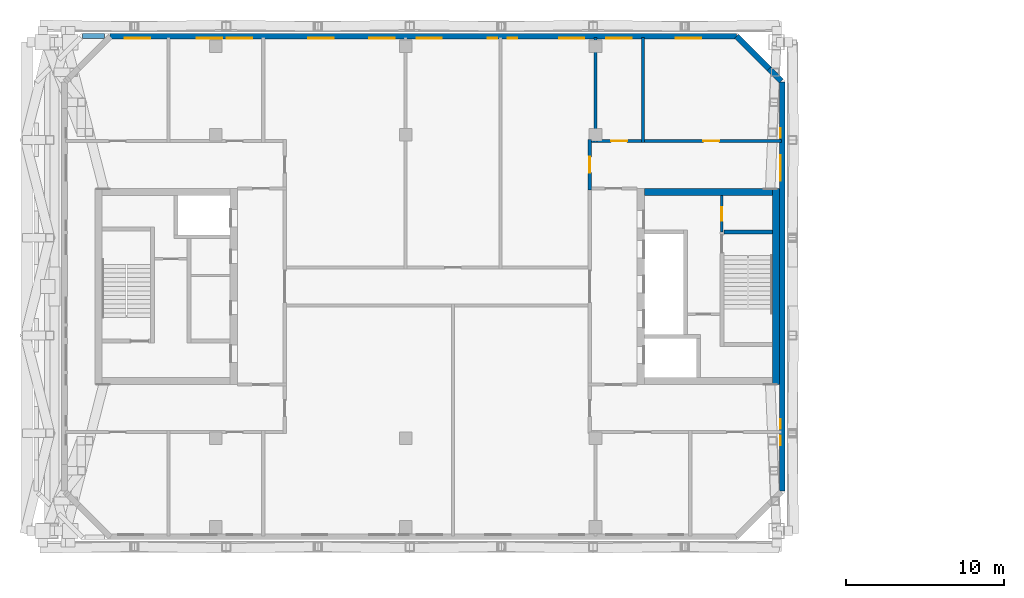
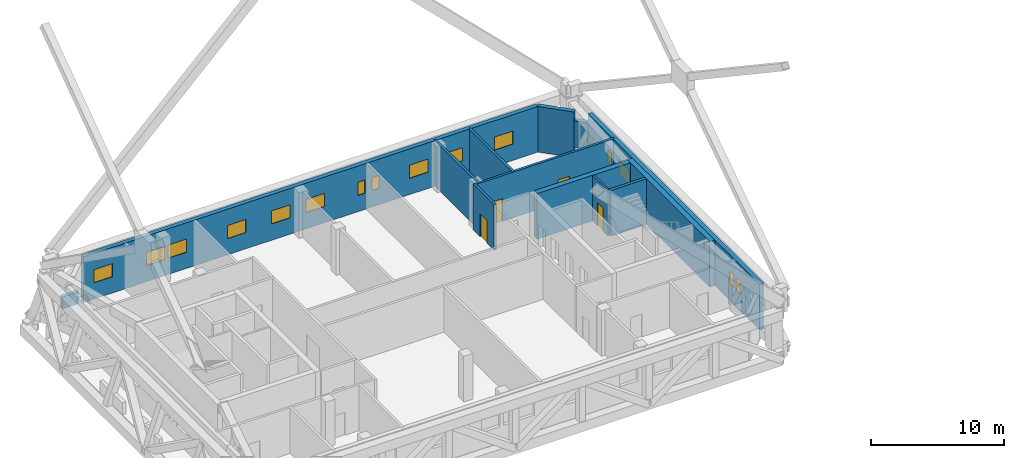
# One storey, part 10 of 20: 15 windows, 13 walls, 4 doors, 19 openings.
"""IFC4 building model written with IfcOpenShell, lengths in metres."""

from ifc_helpers import new_model, si_unit, direction, frame, frame_2d, origin, place, context, subcontext, project, spatial, rectangle, extrude, material, layer, layer_set, type_object, element, fill, save


model = new_model("IFC4")

# Units and contexts
model_context = context("Model", 3, precision=1e-05, world=origin(), true_north=direction((0.0, 1.0)))
body_context = subcontext(model_context, "Body", "Model", "MODEL_VIEW")
ifc_project = project(units=[si_unit("LENGTHUNIT", "METRE"), si_unit("AREAUNIT", "SQUARE_METRE"), si_unit("VOLUMEUNIT", "CUBIC_METRE"), si_unit("PLANEANGLEUNIT", "RADIAN"), si_unit("MASSUNIT", "GRAM", prefix="KILO")], contexts=[model_context])

# Site, building, storey
site_placement = place(None, origin())
site = spatial("IfcSite", under=ifc_project, at=site_placement, CompositionType="ELEMENT")
building_placement = place(site_placement, origin())
building = spatial("IfcBuilding", under=site, at=building_placement, Name="Tuart Gate Housing", CompositionType="ELEMENT")
storey_placement = place(building_placement, frame((0.0, 0.0, 167.10009765625)))
storey = spatial("IfcBuildingStorey", under=building, at=storey_placement, Name="L47", CompositionType="ELEMENT", Elevation=167.10009765625)

# Wall
ifc_material_1 = material(Name="Brick", Category="masonry")
ifc_layer_1 = layer(ifc_material_1, 0.300048828125)
ifc_layer_set_1 = layer_set([ifc_layer_1], Name="Brick parapet wall 300")
wall_type_1 = type_object("IfcWallType", Name="Brick parapet wall 300", PredefinedType="PARAPET", material=ifc_layer_set_1)
wall_1_placement = place(storey_placement, frame((32.949951171875, 85.85009765625, 0.0), z_axis=(0.0, 0.0, 1.0), x_axis=(-1.0, 0.0, 0.0)))
element("IfcWall", 1, at=wall_1_placement, inside=storey, type_object=wall_type_1, Name="Roof parapet A 1", PredefinedType="PARAPET", context=body_context, shape_type="SweptSolid", body=[
    extrude(rectangle(XDim=1.387939453125, YDim=0.300048828125, at=frame_2d((0.69384765625, 0.0))), origin(), (0.0, 0.0, 1.0), 1.099853515625),
])

# Wall, openings, windows
ifc_material_2 = material(Name="Brick", Category="masonry")
ifc_layer_2 = layer(ifc_material_2, 0.360107421875)
ifc_layer_set_2 = layer_set([ifc_layer_2], Name="Brick pier and spandrel wall 360")
wall_type_2 = type_object("IfcWallType", Name="Brick pier and spandrel wall 360", PredefinedType="STANDARD", material=ifc_layer_set_2)
wall_2_placement = place(storey_placement, frame((75.820068359375, 57.07470703125, 0.0), z_axis=(0.0, 0.0, 1.0), x_axis=(0.0, 1.0, 0.0)))
wall_2 = element("IfcWall", 2, at=wall_2_placement, inside=storey, type_object=wall_type_2, Name="External wall A-E L47", PredefinedType="STANDARD", context=body_context, shape_type="SweptSolid", body=[
    extrude(rectangle(XDim=25.850830078125, YDim=0.360107421875, at=frame_2d((12.92529296875, 0.0))), origin(), (0.0, 0.0, 1.0), 4.199951171875),
])
opening_1_placement = place(wall_2_placement, frame((2.89990234375, 0.0, 1.5)))
opening_1 = element("IfcOpeningElement", 3, at=opening_1_placement, cuts=wall_2, Name="Opening W3C", PredefinedType="OPENING", context=body_context, shape_type="SweptSolid", body=[
    extrude(rectangle(XDim=0.60009765625, YDim=1.199951171875, at=frame_2d((0.300048828125, 0.60009765625))), frame((0.0, 0.18994140625, 0.0), z_axis=(0.0, -1.0, 0.0), x_axis=(1.0, 0.0, 0.0)), (0.0, 0.0, 1.0), 0.380126953125),
])
opening_2_placement = place(wall_2_placement, frame((3.92529296875, 0.0, 1.5)))
opening_2 = element("IfcOpeningElement", 4, at=opening_2_placement, cuts=wall_2, Name="Opening W3C", PredefinedType="OPENING", context=body_context, shape_type="SweptSolid", body=[
    extrude(rectangle(XDim=0.60009765625, YDim=1.199951171875, at=frame_2d((0.300048828125, 0.60009765625))), frame((0.0, 0.18994140625, 0.0), z_axis=(0.0, -1.0, 0.0), x_axis=(1.0, 0.0, 0.0)), (0.0, 0.0, 1.0), 0.380126953125),
])
opening_3_placement = place(wall_2_placement, frame((19.62548828125, 0.0, 1.5)))
opening_3 = element("IfcOpeningElement", 5, at=opening_3_placement, cuts=wall_2, Name="Opening W3", PredefinedType="OPENING", context=body_context, shape_type="SweptSolid", body=[
    extrude(rectangle(XDim=1.60009765625, YDim=1.199951171875, at=frame_2d((0.800048828125, 0.60009765625))), frame((0.0, 0.18994140625, 0.0), z_axis=(0.0, -1.0, 0.0), x_axis=(1.0, 0.0, 0.0)), (0.0, 0.0, 1.0), 0.380126953125),
])
opening_4_placement = place(wall_2_placement, frame((22.325439453125, 0.0, 1.5)))
opening_4 = element("IfcOpeningElement", 6, at=opening_4_placement, cuts=wall_2, Name="Opening W3C", PredefinedType="OPENING", context=body_context, shape_type="SweptSolid", body=[
    extrude(rectangle(XDim=0.60009765625, YDim=1.199951171875, at=frame_2d((0.300048828125, 0.60009765625))), frame((0.0, 0.18994140625, 0.0), z_axis=(0.0, -1.0, 0.0), x_axis=(1.0, 0.0, 0.0)), (0.0, 0.0, 1.0), 0.380126953125),
])
ifc_material_3 = material(Name="Aluminium louvre blades", Category="aluminium")
window_type_1 = type_object("IfcWindowType", Name="Louvre window 1600 x 1200", PartitioningType="DOUBLE_PANEL_HORIZONTAL", PredefinedType="WINDOW", material=ifc_material_3)
window_1_placement = place(opening_3_placement, origin())
window_1 = element("IfcWindow", 7, at=window_1_placement, inside=storey, type_object=window_type_1, Name="Louvre W3", OverallHeight=1.199951171875, OverallWidth=1.60009765625, PartitioningType="DOUBLE_PANEL_HORIZONTAL", PredefinedType="WINDOW", context=body_context, shape_type="SweptSolid", body=[
    extrude(rectangle(XDim=1.60009765625, YDim=1.199951171875, at=frame_2d((0.800048828125, 0.60009765625))), frame((0.0, 0.150146484375, 0.0), z_axis=(0.0, -1.0, 0.0), x_axis=(1.0, 0.0, 0.0)), (0.0, 0.0, 1.0), 0.06005859375),
])
fill(opening_3, window_1)
ifc_material_4 = material(Name="Aluminium louvre blades", Category="aluminium")
window_type_2 = type_object("IfcWindowType", Name="Louvre window 600 x 1200", PartitioningType="DOUBLE_PANEL_HORIZONTAL", PredefinedType="WINDOW", material=ifc_material_4)
window_2_placement = place(opening_1_placement, origin())
window_2 = element("IfcWindow", 8, at=window_2_placement, inside=storey, type_object=window_type_2, Name="Louvre W3C", OverallHeight=1.199951171875, OverallWidth=0.60009765625, PartitioningType="DOUBLE_PANEL_HORIZONTAL", PredefinedType="WINDOW", context=body_context, shape_type="SweptSolid", body=[
    extrude(rectangle(XDim=0.60009765625, YDim=1.199951171875, at=frame_2d((0.300048828125, 0.60009765625))), frame((0.0, 0.150146484375, 0.0), z_axis=(0.0, -1.0, 0.0), x_axis=(1.0, 0.0, 0.0)), (0.0, 0.0, 1.0), 0.06005859375),
])
fill(opening_1, window_2)
window_3_placement = place(opening_2_placement, origin())
window_3 = element("IfcWindow", 9, at=window_3_placement, inside=storey, type_object=window_type_2, Name="Louvre W3C", OverallHeight=1.199951171875, OverallWidth=0.60009765625, PartitioningType="DOUBLE_PANEL_HORIZONTAL", PredefinedType="WINDOW", context=body_context, shape_type="SweptSolid", body=[
    extrude(rectangle(XDim=0.60009765625, YDim=1.199951171875, at=frame_2d((0.300048828125, 0.60009765625))), frame((0.0, 0.150146484375, 0.0), z_axis=(0.0, -1.0, 0.0), x_axis=(1.0, 0.0, 0.0)), (0.0, 0.0, 1.0), 0.06005859375),
])
fill(opening_2, window_3)
window_4_placement = place(opening_4_placement, origin())
window_4 = element("IfcWindow", 10, at=window_4_placement, inside=storey, type_object=window_type_2, Name="Louvre W3C", OverallHeight=1.199951171875, OverallWidth=0.60009765625, PartitioningType="DOUBLE_PANEL_HORIZONTAL", PredefinedType="WINDOW", context=body_context, shape_type="SweptSolid", body=[
    extrude(rectangle(XDim=0.60009765625, YDim=1.199951171875, at=frame_2d((0.300048828125, 0.60009765625))), frame((0.0, 0.150146484375, 0.0), z_axis=(0.0, -1.0, 0.0), x_axis=(1.0, 0.0, 0.0)), (0.0, 0.0, 1.0), 0.06005859375),
])
fill(opening_4, window_4)

# Walls
wall_3_placement = place(storey_placement, frame((75.74609375, 82.999267578125, 0.952880859375), z_axis=(0.0, 0.0, 1.0), x_axis=(-0.706994764273, 0.707218780358, 0.0)))
element("IfcWall", 11, at=wall_3_placement, inside=storey, type_object=wall_type_2, Name="External wall A-NE L47", PredefinedType="STANDARD", context=body_context, shape_type="SweptSolid", body=[
    extrude(rectangle(XDim=1.08984375, YDim=0.360107421875, at=frame_2d((0.544921875, 0.0))), origin(), (0.0, 0.0, 1.0), 2.444091796875),
])
wall_4_placement = place(storey_placement, frame((74.9755859375, 83.77001953125, 0.0), z_axis=(0.0, 0.0, 1.0), x_axis=(-0.707148882153, 0.707064677713, 0.0)))
element("IfcWall", 12, at=wall_4_placement, inside=storey, type_object=wall_type_2, Name="External wall A-NE L47", PredefinedType="STANDARD", context=body_context, shape_type="SweptSolid", body=[
    extrude(rectangle(XDim=2.8994140625, YDim=0.360107421875, at=frame_2d((1.44970703125, 0.0))), origin(), (0.0, 0.0, 1.0), 4.199951171875),
])

# Wall, openings, windows
wall_5_placement = place(storey_placement, frame((72.92529296875, 85.820068359375, 0.0), z_axis=(0.0, 0.0, 1.0), x_axis=(-1.0, 0.0, 0.0)))
wall_5 = element("IfcWall", 13, at=wall_5_placement, inside=storey, type_object=wall_type_2, Name="External wall A-N L47", PredefinedType="STANDARD", context=body_context, shape_type="SweptSolid", body=[
    extrude(rectangle(XDim=39.600830078125, YDim=0.360107421875, at=frame_2d((19.80029296875, 0.0))), origin(), (0.0, 0.0, 1.0), 4.199951171875),
])
opening_5_placement = place(wall_5_placement, frame((2.25, 0.0, 1.5)))
opening_5 = element("IfcOpeningElement", 14, at=opening_5_placement, cuts=wall_5, Name="Opening W3", PredefinedType="OPENING", context=body_context, shape_type="SweptSolid", body=[
    extrude(rectangle(XDim=1.60009765625, YDim=1.199951171875, at=frame_2d((0.800048828125, 0.60009765625))), frame((0.0, 0.18994140625, 0.0), z_axis=(0.0, -1.0, 0.0), x_axis=(1.0, 0.0, 0.0)), (0.0, 0.0, 1.0), 0.380126953125),
])
opening_6_placement = place(wall_5_placement, frame((6.62548828125, 0.0, 1.5)))
opening_6 = element("IfcOpeningElement", 15, at=opening_6_placement, cuts=wall_5, Name="Opening W3", PredefinedType="OPENING", context=body_context, shape_type="SweptSolid", body=[
    extrude(rectangle(XDim=1.60009765625, YDim=1.199951171875, at=frame_2d((0.800048828125, 0.60009765625))), frame((0.0, 0.18994140625, 0.0), z_axis=(0.0, -1.0, 0.0), x_axis=(1.0, 0.0, 0.0)), (0.0, 0.0, 1.0), 0.380126953125),
])
opening_7_placement = place(wall_5_placement, frame((9.62548828125, 0.0, 1.5)))
opening_7 = element("IfcOpeningElement", 16, at=opening_7_placement, cuts=wall_5, Name="Opening W3", PredefinedType="OPENING", context=body_context, shape_type="SweptSolid", body=[
    extrude(rectangle(XDim=1.60009765625, YDim=1.199951171875, at=frame_2d((0.800048828125, 0.60009765625))), frame((0.0, 0.18994140625, 0.0), z_axis=(0.0, -1.0, 0.0), x_axis=(1.0, 0.0, 0.0)), (0.0, 0.0, 1.0), 0.380126953125),
])
opening_8_placement = place(wall_5_placement, frame((13.87548828125, 0.0, 1.5)))
opening_8 = element("IfcOpeningElement", 17, at=opening_8_placement, cuts=wall_5, Name="Opening W3C", PredefinedType="OPENING", context=body_context, shape_type="SweptSolid", body=[
    extrude(rectangle(XDim=0.60009765625, YDim=1.199951171875, at=frame_2d((0.300048828125, 0.60009765625))), frame((0.0, 0.18994140625, 0.0), z_axis=(0.0, -1.0, 0.0), x_axis=(1.0, 0.0, 0.0)), (0.0, 0.0, 1.0), 0.380126953125),
])
opening_9_placement = place(wall_5_placement, frame((15.12548828125, 0.0, 1.5)))
opening_9 = element("IfcOpeningElement", 18, at=opening_9_placement, cuts=wall_5, Name="Opening W3C", PredefinedType="OPENING", context=body_context, shape_type="SweptSolid", body=[
    extrude(rectangle(XDim=0.60009765625, YDim=1.199951171875, at=frame_2d((0.300048828125, 0.60009765625))), frame((0.0, 0.18994140625, 0.0), z_axis=(0.0, -1.0, 0.0), x_axis=(1.0, 0.0, 0.0)), (0.0, 0.0, 1.0), 0.380126953125),
])
opening_10_placement = place(wall_5_placement, frame((18.62548828125, 0.0, 1.5)))
opening_10 = element("IfcOpeningElement", 19, at=opening_10_placement, cuts=wall_5, Name="Opening W3", PredefinedType="OPENING", context=body_context, shape_type="SweptSolid", body=[
    extrude(rectangle(XDim=1.60009765625, YDim=1.199951171875, at=frame_2d((0.800048828125, 0.60009765625))), frame((0.0, 0.18994140625, 0.0), z_axis=(0.0, -1.0, 0.0), x_axis=(1.0, 0.0, 0.0)), (0.0, 0.0, 1.0), 0.380126953125),
])
opening_11_placement = place(wall_5_placement, frame((21.62548828125, 0.0, 1.5)))
opening_11 = element("IfcOpeningElement", 20, at=opening_11_placement, cuts=wall_5, Name="Opening W3", PredefinedType="OPENING", context=body_context, shape_type="SweptSolid", body=[
    extrude(rectangle(XDim=1.60009765625, YDim=1.199951171875, at=frame_2d((0.800048828125, 0.60009765625))), frame((0.0, 0.18994140625, 0.0), z_axis=(0.0, -1.0, 0.0), x_axis=(1.0, 0.0, 0.0)), (0.0, 0.0, 1.0), 0.380126953125),
])
opening_12_placement = place(wall_5_placement, frame((25.475341796875, 0.0, 1.5)))
opening_12 = element("IfcOpeningElement", 21, at=opening_12_placement, cuts=wall_5, Name="Opening W3", PredefinedType="OPENING", context=body_context, shape_type="SweptSolid", body=[
    extrude(rectangle(XDim=1.60009765625, YDim=1.199951171875, at=frame_2d((0.800048828125, 0.60009765625))), frame((0.0, 0.18994140625, 0.0), z_axis=(0.0, -1.0, 0.0), x_axis=(1.0, 0.0, 0.0)), (0.0, 0.0, 1.0), 0.380126953125),
])
opening_13_placement = place(wall_5_placement, frame((30.62548828125, 0.0, 1.5)))
opening_13 = element("IfcOpeningElement", 22, at=opening_13_placement, cuts=wall_5, Name="Opening W3", PredefinedType="OPENING", context=body_context, shape_type="SweptSolid", body=[
    extrude(rectangle(XDim=1.60009765625, YDim=1.199951171875, at=frame_2d((0.800048828125, 0.60009765625))), frame((0.0, 0.18994140625, 0.0), z_axis=(0.0, -1.0, 0.0), x_axis=(1.0, 0.0, 0.0)), (0.0, 0.0, 1.0), 0.380126953125),
])
opening_14_placement = place(wall_5_placement, frame((32.525390625, 0.0, 1.5)))
opening_14 = element("IfcOpeningElement", 23, at=opening_14_placement, cuts=wall_5, Name="Opening W3", PredefinedType="OPENING", context=body_context, shape_type="SweptSolid", body=[
    extrude(rectangle(XDim=1.60009765625, YDim=1.199951171875, at=frame_2d((0.800048828125, 0.60009765625))), frame((0.0, 0.18994140625, 0.0), z_axis=(0.0, -1.0, 0.0), x_axis=(1.0, 0.0, 0.0)), (0.0, 0.0, 1.0), 0.380126953125),
])
opening_15_placement = place(wall_5_placement, frame((37.075439453125, 0.0, 1.5)))
opening_15 = element("IfcOpeningElement", 24, at=opening_15_placement, cuts=wall_5, Name="Opening W3", PredefinedType="OPENING", context=body_context, shape_type="SweptSolid", body=[
    extrude(rectangle(XDim=1.60009765625, YDim=1.199951171875, at=frame_2d((0.800048828125, 0.60009765625))), frame((0.0, 0.18994140625, 0.0), z_axis=(0.0, -1.0, 0.0), x_axis=(1.0, 0.0, 0.0)), (0.0, 0.0, 1.0), 0.380126953125),
])
window_5_placement = place(opening_5_placement, origin())
window_5 = element("IfcWindow", 25, at=window_5_placement, inside=storey, type_object=window_type_1, Name="Louvre W3", OverallHeight=1.199951171875, OverallWidth=1.60009765625, PartitioningType="DOUBLE_PANEL_HORIZONTAL", PredefinedType="WINDOW", context=body_context, shape_type="SweptSolid", body=[
    extrude(rectangle(XDim=1.60009765625, YDim=1.199951171875, at=frame_2d((0.800048828125, 0.60009765625))), frame((0.0, 0.150146484375, 0.0), z_axis=(0.0, -1.0, 0.0), x_axis=(1.0, 0.0, 0.0)), (0.0, 0.0, 1.0), 0.06005859375),
])
fill(opening_5, window_5)
window_6_placement = place(opening_6_placement, origin())
window_6 = element("IfcWindow", 26, at=window_6_placement, inside=storey, type_object=window_type_1, Name="Louvre W3", OverallHeight=1.199951171875, OverallWidth=1.60009765625, PartitioningType="DOUBLE_PANEL_HORIZONTAL", PredefinedType="WINDOW", context=body_context, shape_type="SweptSolid", body=[
    extrude(rectangle(XDim=1.60009765625, YDim=1.199951171875, at=frame_2d((0.800048828125, 0.60009765625))), frame((0.0, 0.150146484375, 0.0), z_axis=(0.0, -1.0, 0.0), x_axis=(1.0, 0.0, 0.0)), (0.0, 0.0, 1.0), 0.06005859375),
])
fill(opening_6, window_6)
window_7_placement = place(opening_7_placement, origin())
window_7 = element("IfcWindow", 27, at=window_7_placement, inside=storey, type_object=window_type_1, Name="Louvre W3", OverallHeight=1.199951171875, OverallWidth=1.60009765625, PartitioningType="DOUBLE_PANEL_HORIZONTAL", PredefinedType="WINDOW", context=body_context, shape_type="SweptSolid", body=[
    extrude(rectangle(XDim=1.60009765625, YDim=1.199951171875, at=frame_2d((0.800048828125, 0.60009765625))), frame((0.0, 0.150146484375, 0.0), z_axis=(0.0, -1.0, 0.0), x_axis=(1.0, 0.0, 0.0)), (0.0, 0.0, 1.0), 0.06005859375),
])
fill(opening_7, window_7)
window_8_placement = place(opening_10_placement, origin())
window_8 = element("IfcWindow", 28, at=window_8_placement, inside=storey, type_object=window_type_1, Name="Louvre W3", OverallHeight=1.199951171875, OverallWidth=1.60009765625, PartitioningType="DOUBLE_PANEL_HORIZONTAL", PredefinedType="WINDOW", context=body_context, shape_type="SweptSolid", body=[
    extrude(rectangle(XDim=1.60009765625, YDim=1.199951171875, at=frame_2d((0.800048828125, 0.60009765625))), frame((0.0, 0.150146484375, 0.0), z_axis=(0.0, -1.0, 0.0), x_axis=(1.0, 0.0, 0.0)), (0.0, 0.0, 1.0), 0.06005859375),
])
fill(opening_10, window_8)
window_9_placement = place(opening_11_placement, origin())
window_9 = element("IfcWindow", 29, at=window_9_placement, inside=storey, type_object=window_type_1, Name="Louvre W3", OverallHeight=1.199951171875, OverallWidth=1.60009765625, PartitioningType="DOUBLE_PANEL_HORIZONTAL", PredefinedType="WINDOW", context=body_context, shape_type="SweptSolid", body=[
    extrude(rectangle(XDim=1.60009765625, YDim=1.199951171875, at=frame_2d((0.800048828125, 0.60009765625))), frame((0.0, 0.150146484375, 0.0), z_axis=(0.0, -1.0, 0.0), x_axis=(1.0, 0.0, 0.0)), (0.0, 0.0, 1.0), 0.06005859375),
])
fill(opening_11, window_9)
window_10_placement = place(opening_12_placement, origin())
window_10 = element("IfcWindow", 30, at=window_10_placement, inside=storey, type_object=window_type_1, Name="Louvre W3", OverallHeight=1.199951171875, OverallWidth=1.60009765625, PartitioningType="DOUBLE_PANEL_HORIZONTAL", PredefinedType="WINDOW", context=body_context, shape_type="SweptSolid", body=[
    extrude(rectangle(XDim=1.60009765625, YDim=1.199951171875, at=frame_2d((0.800048828125, 0.60009765625))), frame((0.0, 0.150146484375, 0.0), z_axis=(0.0, -1.0, 0.0), x_axis=(1.0, 0.0, 0.0)), (0.0, 0.0, 1.0), 0.06005859375),
])
fill(opening_12, window_10)
window_11_placement = place(opening_13_placement, origin())
window_11 = element("IfcWindow", 31, at=window_11_placement, inside=storey, type_object=window_type_1, Name="Louvre W3", OverallHeight=1.199951171875, OverallWidth=1.60009765625, PartitioningType="DOUBLE_PANEL_HORIZONTAL", PredefinedType="WINDOW", context=body_context, shape_type="SweptSolid", body=[
    extrude(rectangle(XDim=1.60009765625, YDim=1.199951171875, at=frame_2d((0.800048828125, 0.60009765625))), frame((0.0, 0.150146484375, 0.0), z_axis=(0.0, -1.0, 0.0), x_axis=(1.0, 0.0, 0.0)), (0.0, 0.0, 1.0), 0.06005859375),
])
fill(opening_13, window_11)
window_12_placement = place(opening_14_placement, origin())
window_12 = element("IfcWindow", 32, at=window_12_placement, inside=storey, type_object=window_type_1, Name="Louvre W3", OverallHeight=1.199951171875, OverallWidth=1.60009765625, PartitioningType="DOUBLE_PANEL_HORIZONTAL", PredefinedType="WINDOW", context=body_context, shape_type="SweptSolid", body=[
    extrude(rectangle(XDim=1.60009765625, YDim=1.199951171875, at=frame_2d((0.800048828125, 0.60009765625))), frame((0.0, 0.150146484375, 0.0), z_axis=(0.0, -1.0, 0.0), x_axis=(1.0, 0.0, 0.0)), (0.0, 0.0, 1.0), 0.06005859375),
])
fill(opening_14, window_12)
window_13_placement = place(opening_15_placement, origin())
window_13 = element("IfcWindow", 33, at=window_13_placement, inside=storey, type_object=window_type_1, Name="Louvre W3", OverallHeight=1.199951171875, OverallWidth=1.60009765625, PartitioningType="DOUBLE_PANEL_HORIZONTAL", PredefinedType="WINDOW", context=body_context, shape_type="SweptSolid", body=[
    extrude(rectangle(XDim=1.60009765625, YDim=1.199951171875, at=frame_2d((0.800048828125, 0.60009765625))), frame((0.0, 0.150146484375, 0.0), z_axis=(0.0, -1.0, 0.0), x_axis=(1.0, 0.0, 0.0)), (0.0, 0.0, 1.0), 0.06005859375),
])
fill(opening_15, window_13)
window_14_placement = place(opening_8_placement, origin())
window_14 = element("IfcWindow", 34, at=window_14_placement, inside=storey, type_object=window_type_2, Name="Louvre W3C", OverallHeight=1.199951171875, OverallWidth=0.60009765625, PartitioningType="DOUBLE_PANEL_HORIZONTAL", PredefinedType="WINDOW", context=body_context, shape_type="SweptSolid", body=[
    extrude(rectangle(XDim=0.60009765625, YDim=1.199951171875, at=frame_2d((0.300048828125, 0.60009765625))), frame((0.0, 0.150146484375, 0.0), z_axis=(0.0, -1.0, 0.0), x_axis=(1.0, 0.0, 0.0)), (0.0, 0.0, 1.0), 0.06005859375),
])
fill(opening_8, window_14)
window_15_placement = place(opening_9_placement, origin())
window_15 = element("IfcWindow", 35, at=window_15_placement, inside=storey, type_object=window_type_2, Name="Louvre W3C", OverallHeight=1.199951171875, OverallWidth=0.60009765625, PartitioningType="DOUBLE_PANEL_HORIZONTAL", PredefinedType="WINDOW", context=body_context, shape_type="SweptSolid", body=[
    extrude(rectangle(XDim=0.60009765625, YDim=1.199951171875, at=frame_2d((0.300048828125, 0.60009765625))), frame((0.0, 0.150146484375, 0.0), z_axis=(0.0, -1.0, 0.0), x_axis=(1.0, 0.0, 0.0)), (0.0, 0.0, 1.0), 0.06005859375),
])
fill(opening_9, window_15)

# Wall, opening, door
ifc_material_5 = material(Name="Plasterboard partition")
ifc_layer_3 = layer(ifc_material_5, 0.14990234375)
ifc_layer_set_3 = layer_set([ifc_layer_3], Name="Core partition 150")
wall_type_3 = type_object("IfcWallType", Name="Core partition 150", PredefinedType="PARTITIONING", material=ifc_layer_set_3)
wall_6_placement = place(storey_placement, frame((71.989990234375, 73.449951171875, 0.0), z_axis=(0.0, 0.0, 1.0), x_axis=(0.0, 1.0, 0.0)))
wall_6 = element("IfcWall", 36, at=wall_6_placement, inside=storey, type_object=wall_type_3, Name="Core partition AG.9", PredefinedType="PARTITIONING", context=body_context, shape_type="SweptSolid", body=[
    extrude(rectangle(XDim=2.300048828125, YDim=0.14990234375, at=frame_2d((1.14990234375, 0.0))), origin(), (0.0, 0.0, 1.0), 4.199951171875),
])
opening_16_placement = place(wall_6_placement, frame((0.72509765625, 0.0, 0.0)))
opening_16 = element("IfcOpeningElement", 37, at=opening_16_placement, cuts=wall_6, Name="Opening D3446", PredefinedType="OPENING", context=body_context, shape_type="SweptSolid", body=[
    extrude(rectangle(XDim=0.85009765625, YDim=2.10009765625, at=frame_2d((0.425048828125, 1.050048828125))), frame((0.0, 0.0849609375, 0.0), z_axis=(0.0, -1.0, 0.0), x_axis=(1.0, 0.0, 0.0)), (0.0, 0.0, 1.0), 0.169921875),
])
ifc_material_6 = material(Name="Steel fire door", Category="steel")
door_type_1 = type_object("IfcDoorType", Name="Service door 850 x 2100 RH", OperationType="SINGLE_SWING_RIGHT", PredefinedType="DOOR", material=ifc_material_6)
door_1_placement = place(opening_16_placement, frame((0.85009765625, 0.0, 0.0), z_axis=(0.0, 0.0, 1.0), x_axis=(-1.0, 0.0, 0.0)))
door_1 = element("IfcDoor", 38, at=door_1_placement, inside=storey, type_object=door_type_1, Name="Service room door AG.ST", OperationType="SINGLE_SWING_RIGHT", OverallHeight=2.10009765625, OverallWidth=0.85009765625, PredefinedType="DOOR", context=body_context, shape_type="SweptSolid", body=[
    extrude(rectangle(XDim=0.85009765625, YDim=2.10009765625, at=frame_2d((0.425048828125, 1.050048828125))), frame((0.0, 0.025146484375, 0.0), z_axis=(0.0, -1.0, 0.0), x_axis=(1.0, 0.0, 0.0)), (0.0, 0.0, 1.0), 0.050048828125),
])
fill(opening_16, door_1)

# Walls
ifc_material_7 = material(Name="Concrete C40", Category="concrete")
ifc_layer_4 = layer(ifc_material_7, 0.25)
ifc_layer_set_4 = layer_set([ifc_layer_4], Name="Core wall 250 C40")
wall_type_4 = type_object("IfcWallType", Name="Core wall 250 C40", PredefinedType="SHEAR", material=ifc_layer_set_4)
wall_7_placement = place(storey_placement, frame((72.114990234375, 73.449951171875, 0.0), z_axis=(0.0, 0.0, 1.0), x_axis=(1.0, 0.0, 0.0)))
element("IfcWall", 39, at=wall_7_placement, inside=storey, type_object=wall_type_4, Name="Core wall AG.5", PredefinedType="SHEAR", context=body_context, shape_type="SweptSolid", body=[
    extrude(rectangle(XDim=3.074951171875, YDim=0.25, at=frame_2d((1.53759765625, 0.0))), origin(), (0.0, 0.0, 1.0), 4.199951171875),
])
ifc_material_8 = material(Name="Concrete C40", Category="concrete")
ifc_layer_5 = layer(ifc_material_8, 0.449951171875)
ifc_layer_set_5 = layer_set([ifc_layer_5], Name="Core wall 450 C40")
wall_type_5 = type_object("IfcWallType", Name="Core wall 450 C40", PredefinedType="SHEAR", material=ifc_layer_set_5)
wall_8_placement = place(storey_placement, frame((75.4150390625, 63.800048828125, 0.0), z_axis=(0.0, 0.0, 1.0), x_axis=(0.0, 1.0, 0.0)))
element("IfcWall", 40, at=wall_8_placement, inside=storey, type_object=wall_type_5, Name="Core wall AG back", PredefinedType="SHEAR", context=body_context, shape_type="SweptSolid", body=[
    extrude(rectangle(XDim=12.39990234375, YDim=0.449951171875, at=frame_2d((6.199951171875, 0.0))), origin(), (0.0, 0.0, 1.0), 4.199951171875),
])
wall_9_placement = place(storey_placement, frame((67.090087890625, 75.97509765625, 0.0), z_axis=(0.0, 0.0, 1.0), x_axis=(1.0, 0.0, 0.0)))
element("IfcWall", 41, at=wall_9_placement, inside=storey, type_object=wall_type_5, Name="Core wall AG north", PredefinedType="SHEAR", context=body_context, shape_type="SweptSolid", body=[
    extrude(rectangle(XDim=8.099853515625, YDim=0.449951171875, at=frame_2d((4.0498046875, 0.0))), origin(), (0.0, 0.0, 1.0), 4.199951171875),
])

# Wall, openings, doors
ifc_material_9 = material(Name="Concrete masonry 15 MPa", Category="masonry")
ifc_layer_6 = layer(ifc_material_9, 0.199951171875)
ifc_layer_set_6 = layer_set([ifc_layer_6], Name="Enclosure wall masonry 200")
wall_type_6 = type_object("IfcWallType", Name="Enclosure wall masonry 200", PredefinedType="PARTITIONING", material=ifc_layer_set_6)
wall_10_placement = place(storey_placement, frame((63.5400390625, 79.199951171875, 0.0), z_axis=(0.0, 0.0, 1.0), x_axis=(1.0, 0.0, 0.0)))
wall_10 = element("IfcWall", 42, at=wall_10_placement, inside=storey, type_object=wall_type_6, Name="Enclosure wall masonry 200", PredefinedType="PARTITIONING", context=body_context, shape_type="SweptSolid", body=[
    extrude(rectangle(XDim=12.219970703125, YDim=0.199951171875, at=frame_2d((6.10986328125, 0.0))), origin(), (0.0, 0.0, 1.0), 4.199951171875),
])
opening_17_placement = place(wall_10_placement, frame((1.4599609375, 0.0, 0.0)))
opening_17 = element("IfcOpeningElement", 43, at=opening_17_placement, cuts=wall_10, Name="Opening D3440", PredefinedType="OPENING", context=body_context, shape_type="SweptSolid", body=[
    extrude(rectangle(XDim=1.0, YDim=2.10009765625, at=frame_2d((0.5, 1.050048828125))), frame((0.0, 0.10986328125, 0.0), z_axis=(0.0, -1.0, 0.0), x_axis=(1.0, 0.0, 0.0)), (0.0, 0.0, 1.0), 0.219970703125),
])
opening_18_placement = place(wall_10_placement, frame((7.280029296875, 0.0, 0.0)))
opening_18 = element("IfcOpeningElement", 44, at=opening_18_placement, cuts=wall_10, Name="Opening D3441", PredefinedType="OPENING", context=body_context, shape_type="SweptSolid", body=[
    extrude(rectangle(XDim=1.0, YDim=2.10009765625, at=frame_2d((0.5, 1.050048828125))), frame((0.0, 0.10986328125, 0.0), z_axis=(0.0, -1.0, 0.0), x_axis=(1.0, 0.0, 0.0)), (0.0, 0.0, 1.0), 0.219970703125),
])
ifc_material_10 = material(Name="Timber door leaf in steel frame", Category="steel")
door_type_2 = type_object("IfcDoorType", Name="Fire door 1000", OperationType="SINGLE_SWING_LEFT", PredefinedType="DOOR", material=ifc_material_10)
door_2_placement = place(opening_17_placement, origin())
door_2 = element("IfcDoor", 45, at=door_2_placement, inside=storey, type_object=door_type_2, Name="Fire door 1000", OperationType="SINGLE_SWING_LEFT", OverallHeight=2.10009765625, OverallWidth=1.0, PredefinedType="DOOR", context=body_context, shape_type="SweptSolid", body=[
    extrude(rectangle(XDim=1.0, YDim=2.10009765625, at=frame_2d((0.5, 1.050048828125))), frame((0.0, 0.02490234375, 0.0), z_axis=(0.0, -1.0, 0.0), x_axis=(1.0, 0.0, 0.0)), (0.0, 0.0, 1.0), 0.050048828125),
])
fill(opening_17, door_2)
door_3_placement = place(opening_18_placement, origin())
door_3 = element("IfcDoor", 46, at=door_3_placement, inside=storey, type_object=door_type_2, Name="Fire door 1000", OperationType="SINGLE_SWING_LEFT", OverallHeight=2.10009765625, OverallWidth=1.0, PredefinedType="DOOR", context=body_context, shape_type="SweptSolid", body=[
    extrude(rectangle(XDim=1.0, YDim=2.10009765625, at=frame_2d((0.5, 1.050048828125))), frame((0.0, 0.02490234375, 0.0), z_axis=(0.0, -1.0, 0.0), x_axis=(1.0, 0.0, 0.0)), (0.0, 0.0, 1.0), 0.050048828125),
])
fill(opening_18, door_3)

# Wall, opening, door
wall_11_placement = place(storey_placement, frame((63.639892578125, 76.10009765625, 0.0), z_axis=(0.0, 0.0, 1.0), x_axis=(0.0, 1.0, 0.0)))
wall_11 = element("IfcWall", 47, at=wall_11_placement, inside=storey, type_object=wall_type_6, Name="Enclosure wall masonry 200", PredefinedType="PARTITIONING", context=body_context, shape_type="SweptSolid", body=[
    extrude(rectangle(XDim=3.199951171875, YDim=0.199951171875, at=frame_2d((1.60009765625, 0.0))), origin(), (0.0, 0.0, 1.0), 4.199951171875),
])
opening_19_placement = place(wall_11_placement, frame((1.10009765625, 0.0, 0.0)))
opening_19 = element("IfcOpeningElement", 48, at=opening_19_placement, cuts=wall_11, Name="Opening D3443", PredefinedType="OPENING", context=body_context, shape_type="SweptSolid", body=[
    extrude(rectangle(XDim=1.0, YDim=2.10009765625, at=frame_2d((0.5, 1.050048828125))), frame((0.0, 0.10986328125, 0.0), z_axis=(0.0, -1.0, 0.0), x_axis=(1.0, 0.0, 0.0)), (0.0, 0.0, 1.0), 0.219970703125),
])
door_4_placement = place(opening_19_placement, origin())
door_4 = element("IfcDoor", 49, at=door_4_placement, inside=storey, type_object=door_type_2, Name="Fire door 1000", OperationType="SINGLE_SWING_LEFT", OverallHeight=2.10009765625, OverallWidth=1.0, PredefinedType="DOOR", context=body_context, shape_type="SweptSolid", body=[
    extrude(rectangle(XDim=1.0, YDim=2.10009765625, at=frame_2d((0.5, 1.050048828125))), frame((0.0, 0.02490234375, 0.0), z_axis=(0.0, -1.0, 0.0), x_axis=(1.0, 0.0, 0.0)), (0.0, 0.0, 1.0), 0.050048828125),
])
fill(opening_19, door_4)

# Walls
for number, where, z_axis, x_axis, name in (
    (50, (64.0, 79.10009765625, 0.0), (0.0, 0.0, 1.0), (0.0, 1.0, 0.0), "Enclosure wall masonry 200"),
    (51, (67.0, 79.10009765625, 0.0), (0.0, 0.0, 1.0), (0.0, 1.0, 0.0), "Enclosure wall masonry 200"),
):
    element("IfcWall", number, at=place(storey_placement, frame(where, z_axis=z_axis, x_axis=x_axis)), inside=storey, type_object=wall_type_6, Name=name, PredefinedType="PARTITIONING", context=body_context, shape_type="SweptSolid", body=[
        extrude(rectangle(XDim=6.659912109375, YDim=0.199951171875, at=frame_2d((3.330078125, 0.0))), origin(), (0.0, 0.0, 1.0), 4.199951171875),
    ])

save(model, "model.ifc")
